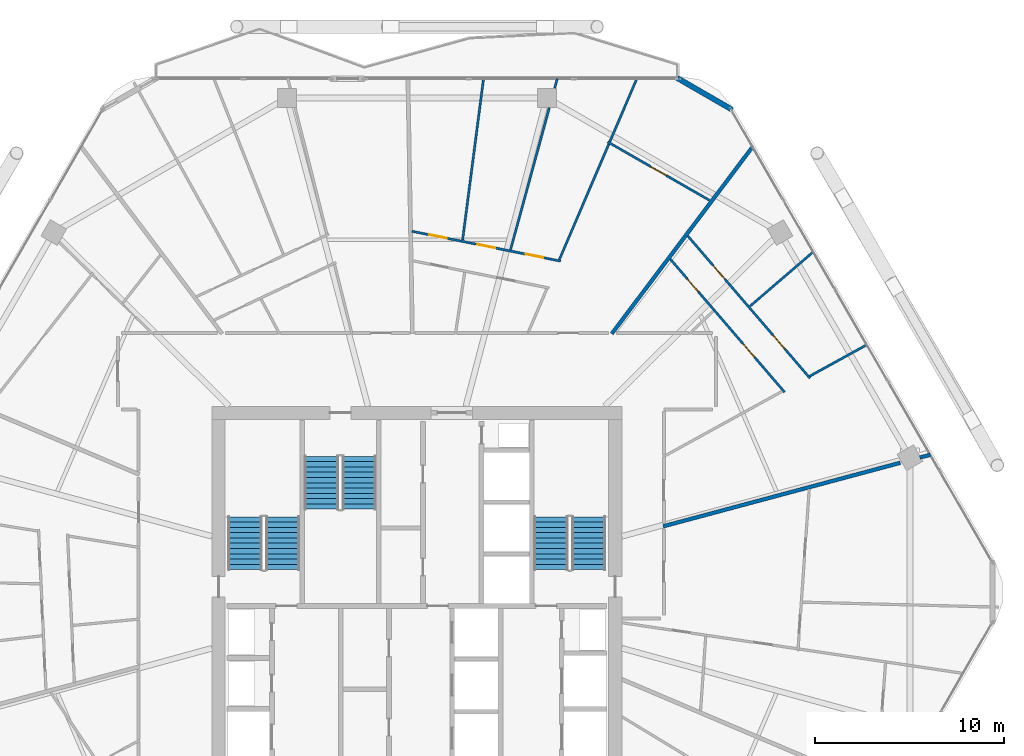
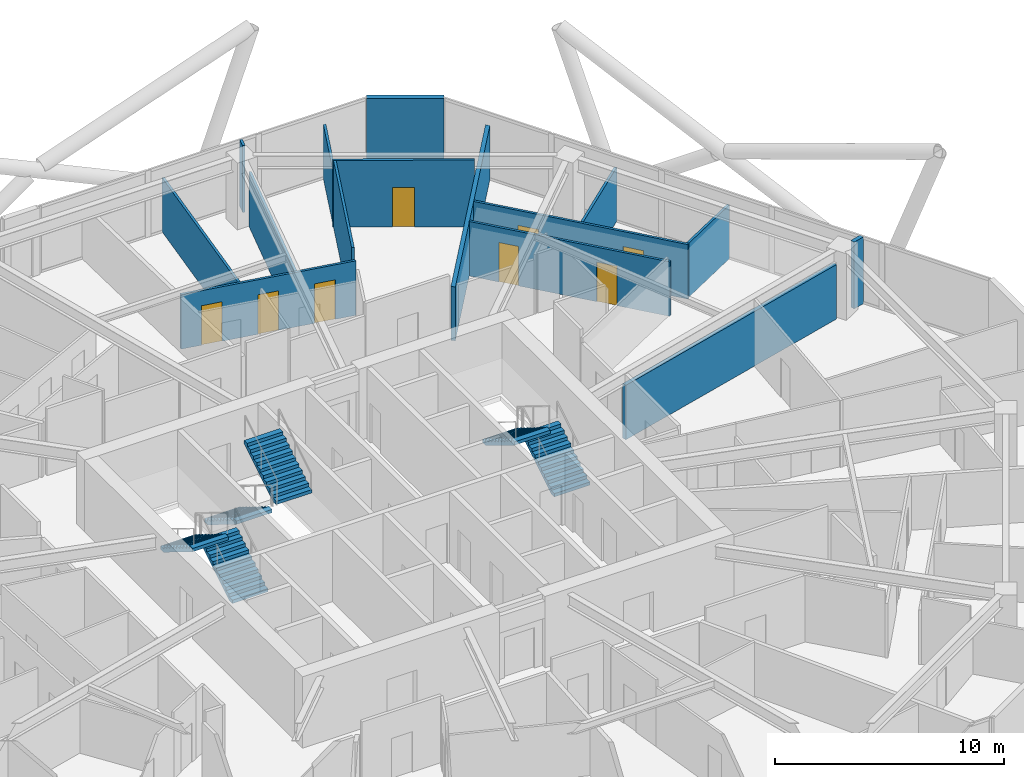
# One storey, part 26 of 29: 15 walls, 8 doors, 6 stair flights, 8 openings, 3 elements without a shape of their own.
"""IFC4 building model written with IfcOpenShell, lengths in metres."""

from ifc_helpers import new_model, si_unit, direction, frame, frame_2d, origin, place, context, subcontext, project, spatial, polyline, rectangle, outline, extrude, material, layer, layer_set, type_object, element, fill, aggregate, save


model = new_model("IFC4")

# Units and contexts
model_context = context("Model", 3, precision=1e-05, world=origin(), true_north=direction((0.0, 1.0)))
body_context = subcontext(model_context, "Body", "Model", "MODEL_VIEW")
ifc_project = project(units=[si_unit("LENGTHUNIT", "METRE"), si_unit("AREAUNIT", "SQUARE_METRE"), si_unit("VOLUMEUNIT", "CUBIC_METRE"), si_unit("PLANEANGLEUNIT", "RADIAN"), si_unit("MASSUNIT", "GRAM", prefix="KILO")], contexts=[model_context])

# Site, building, storey
site_placement = place(None, origin())
site = spatial("IfcSite", under=ifc_project, at=site_placement, CompositionType="ELEMENT")
building_placement = place(site_placement, origin())
building = spatial("IfcBuilding", under=site, at=building_placement, Name="Zuhravey Tower", CompositionType="ELEMENT")
storey_placement = place(building_placement, frame((0.0, 0.0, 184.60009765625)))
storey = spatial("IfcBuildingStorey", under=building, at=storey_placement, Name="L46", CompositionType="ELEMENT", Elevation=184.60009765625)

# Walls
ifc_material_1 = material(Name="Precast concrete C40/50", Category="concrete")
ifc_layer_1 = layer(ifc_material_1, 0.280029296875)
ifc_layer_set_1 = layer_set([ifc_layer_1], Name="Precast concrete C40/50")
wall_type_1 = type_object("IfcWallType", Name="Crown Architectural Wall 280", PredefinedType="SOLIDWALL", material=ifc_layer_set_1)
wall_1_placement = place(storey_placement, frame((49.77880859375, 59.230712890625, 0.0), z_axis=(0.0, 0.0, 1.0), x_axis=(0.866020068361, -0.500009241111, 0.0)))
element("IfcWall", 1, at=wall_1_placement, inside=storey, type_object=wall_type_1, Name="L46 Rounded Corner Closure Wall EW28-10", PredefinedType="SOLIDWALL", context=body_context, shape_type="SweptSolid", body=[
    extrude(rectangle(XDim=3.365234375, YDim=0.280029296875, at=frame_2d((1.6826171875, 0.0))), origin(), (0.0, 0.0, 1.0), 3.5498046875),
])
ifc_material_2 = material(Name="Gypsum double-stud party assembly")
ifc_layer_2 = layer(ifc_material_2, 0.199951171875)
ifc_layer_set_2 = layer_set([ifc_layer_2], Name="Gypsum double-stud party assembly")
wall_type_2 = type_object("IfcWallType", Name="Inter-Tenancy Party Wall 200", PredefinedType="PARTITIONING", material=ifc_layer_set_2)
wall_2_placement = place(storey_placement, frame((49.0400390625, 35.494140625, 0.0), z_axis=(0.0, 0.0, 1.0), x_axis=(0.965926995019, 0.258814683304, 0.0)))
element("IfcWall", 2, at=wall_2_placement, inside=storey, type_object=wall_type_2, Name="L46 IW20 Partition 067", PredefinedType="PARTITIONING", context=body_context, shape_type="SweptSolid", body=[
    extrude(rectangle(XDim=12.990234375, YDim=0.199951171875, at=frame_2d((6.4951171875, 0.0))), origin(), (0.0, 0.0, 1.0), 2.89990234375),
])
wall_3_placement = place(storey_placement, frame((62.627685546875, 39.134765625, 0.0), z_axis=(0.0, 0.0, 1.0), x_axis=(0.965881701481, 0.258983665013, 0.0)))
element("IfcWall", 3, at=wall_3_placement, inside=storey, type_object=wall_type_2, Name="L46 IW20 Partition 068", PredefinedType="PARTITIONING", context=body_context, shape_type="SweptSolid", body=[
    extrude(rectangle(XDim=0.574951171875, YDim=0.199951171875, at=frame_2d((0.28759765625, 0.0))), origin(), (0.0, 0.0, 1.0), 3.5498046875),
])
wall_4_placement = place(storey_placement, frame((46.316162109375, 45.68994140625, 0.0), z_axis=(0.0, 0.0, 1.0), x_axis=(0.601811441108, 0.798638209299, 0.0)))
element("IfcWall", 4, at=wall_4_placement, inside=storey, type_object=wall_type_2, Name="L46 IW20 Partition 073", PredefinedType="PARTITIONING", context=body_context, shape_type="SweptSolid", body=[
    extrude(rectangle(XDim=12.388916015625, YDim=0.199951171875, at=frame_2d((6.1943359375, 0.0))), origin(), (0.0, 0.0, 1.0), 2.869873046875),
])

# Wall, openings, doors
ifc_material_3 = material(Name="Gypsum metal-stud partition")
ifc_layer_3 = layer(ifc_material_3, 0.1201171875)
ifc_layer_set_3 = layer_set([ifc_layer_3], Name="Gypsum metal-stud partition")
wall_type_3 = type_object("IfcWallType", Name="Unit Internal Partition 120", PredefinedType="PARTITIONING", material=ifc_layer_set_3)
wall_5_placement = place(storey_placement, frame((55.467041015625, 42.5966796875, 0.0), z_axis=(0.0, 0.0, 1.0), x_axis=(-0.651552756093, 0.758603325875, 0.0)))
wall_5 = element("IfcWall", 5, at=wall_5_placement, inside=storey, type_object=wall_type_3, Name="L46 IW12 Partition 020", PredefinedType="PARTITIONING", context=body_context, shape_type="SweptSolid", body=[
    extrude(rectangle(XDim=9.291259765625, YDim=0.1201171875, at=frame_2d((4.6455078125, 0.0))), origin(), (0.0, 0.0, 1.0), 2.89990234375),
])
opening_1_placement = place(wall_5_placement, frame((2.436767578125, 0.0, 0.0)))
opening_1 = element("IfcOpeningElement", 6, at=opening_1_placement, cuts=wall_5, Name="Opening IND1", PredefinedType="OPENING", context=body_context, shape_type="SweptSolid", body=[
    extrude(rectangle(XDim=0.949951171875, YDim=2.10009765625, at=frame_2d((0.47509765625, 1.050048828125))), frame((0.0, 0.072021484375, 0.0), z_axis=(0.0, -1.0, 0.0), x_axis=(1.0, 0.0, 0.0)), (0.0, 0.0, 1.0), 0.14404296875),
])
opening_2_placement = place(wall_5_placement, frame((7.0048828125, 0.0, 0.0)))
opening_2 = element("IfcOpeningElement", 7, at=opening_2_placement, cuts=wall_5, Name="Opening WCD1", PredefinedType="OPENING", context=body_context, shape_type="SweptSolid", body=[
    extrude(rectangle(XDim=0.89990234375, YDim=2.10009765625, at=frame_2d((0.449951171875, 1.050048828125))), frame((0.0, 0.072021484375, 0.0), z_axis=(0.0, -1.0, 0.0), x_axis=(1.0, 0.0, 0.0)), (0.0, 0.0, 1.0), 0.14404296875),
])
ifc_material_4 = material(Name="Moisture-resistant timber leaf", Category="wood")
door_type_1 = type_object("IfcDoorType", Name="Bathroom & WC Internal Door 900x2100", OperationType="NOTDEFINED", PredefinedType="DOOR", material=ifc_material_4)
door_1_placement = place(opening_2_placement, origin())
door_1 = element("IfcDoor", 8, at=door_1_placement, inside=storey, type_object=door_type_1, Name="Apartment L46-01 Bathroom Door", OperationType="SINGLE_SWING_RIGHT", OverallHeight=2.10009765625, OverallWidth=0.89990234375, PredefinedType="DOOR", context=body_context, shape_type="SweptSolid", body=[
    extrude(rectangle(XDim=0.89990234375, YDim=2.10009765625, at=frame_2d((0.449951171875, 1.050048828125))), frame((0.0, 0.02490234375, 0.0), z_axis=(0.0, -1.0, 0.0), x_axis=(1.0, 0.0, 0.0)), (0.0, 0.0, 1.0), 0.050048828125),
])
fill(opening_2, door_1)
ifc_material_5 = material(Name="Painted engineered timber leaf", Category="wood")
door_type_2 = type_object("IfcDoorType", Name="Internal Room & Bedroom Door 950x2100", OperationType="NOTDEFINED", PredefinedType="DOOR", material=ifc_material_5)
door_2_placement = place(opening_1_placement, origin())
door_2 = element("IfcDoor", 9, at=door_2_placement, inside=storey, type_object=door_type_2, Name="Apartment L46-01 Kitchen Door", OperationType="SINGLE_SWING_LEFT", OverallHeight=2.10009765625, OverallWidth=0.949951171875, PredefinedType="DOOR", context=body_context, shape_type="SweptSolid", body=[
    extrude(rectangle(XDim=0.949951171875, YDim=2.10009765625, at=frame_2d((0.47509765625, 1.050048828125))), frame((0.0, 0.02490234375, 0.0), z_axis=(0.0, -1.0, 0.0), x_axis=(1.0, 0.0, 0.0)), (0.0, 0.0, 1.0), 0.050048828125),
])
fill(opening_1, door_2)

wall_6_placement = place(storey_placement, frame((56.809814453125, 43.335693359375, 0.0), z_axis=(0.0, 0.0, 1.0), x_axis=(-0.651575392226, 0.75858388346, 0.0)))
wall_6 = element("IfcWall", 10, at=wall_6_placement, inside=storey, type_object=wall_type_3, Name="L46 IW12 Partition 021", PredefinedType="PARTITIONING", context=body_context, shape_type="SweptSolid", body=[
    extrude(rectangle(XDim=9.919921875, YDim=0.1201171875, at=frame_2d((4.9599609375, 0.0))), origin(), (0.0, 0.0, 1.0), 2.89990234375),
])
opening_3_placement = place(wall_6_placement, frame((2.054931640625, 0.0, 0.0)))
opening_3 = element("IfcOpeningElement", 11, at=opening_3_placement, cuts=wall_6, Name="Opening IND1", PredefinedType="OPENING", context=body_context, shape_type="SweptSolid", body=[
    extrude(rectangle(XDim=0.949951171875, YDim=2.10009765625, at=frame_2d((0.47509765625, 1.050048828125))), frame((0.0, 0.072021484375, 0.0), z_axis=(0.0, -1.0, 0.0), x_axis=(1.0, 0.0, 0.0)), (0.0, 0.0, 1.0), 0.14404296875),
])
opening_4_placement = place(wall_6_placement, frame((6.914794921875, 0.0, 0.0)))
opening_4 = element("IfcOpeningElement", 12, at=opening_4_placement, cuts=wall_6, Name="Opening IND1", PredefinedType="OPENING", context=body_context, shape_type="SweptSolid", body=[
    extrude(rectangle(XDim=0.949951171875, YDim=2.10009765625, at=frame_2d((0.47509765625, 1.050048828125))), frame((0.0, 0.072021484375, 0.0), z_axis=(0.0, -1.0, 0.0), x_axis=(1.0, 0.0, 0.0)), (0.0, 0.0, 1.0), 0.14404296875),
])
door_3_placement = place(opening_3_placement, frame((0.949951171875, 0.0, 0.0), z_axis=(0.0, 0.0, 1.0), x_axis=(-1.0, 0.0, 0.0)))
door_3 = element("IfcDoor", 13, at=door_3_placement, inside=storey, type_object=door_type_2, Name="Apartment L46-01 Bedroom 1 Door", OperationType="SINGLE_SWING_LEFT", OverallHeight=2.10009765625, OverallWidth=0.949951171875, PredefinedType="DOOR", context=body_context, shape_type="SweptSolid", body=[
    extrude(rectangle(XDim=0.949951171875, YDim=2.10009765625, at=frame_2d((0.47509765625, 1.050048828125))), frame((0.0, 0.02490234375, 0.0), z_axis=(0.0, -1.0, 0.0), x_axis=(1.0, 0.0, 0.0)), (0.0, 0.0, 1.0), 0.050048828125),
])
fill(opening_3, door_3)
door_4_placement = place(opening_4_placement, frame((0.949951171875, 0.0, 0.0), z_axis=(0.0, 0.0, 1.0), x_axis=(-1.0, 0.0, 0.0)))
door_4 = element("IfcDoor", 14, at=door_4_placement, inside=storey, type_object=door_type_2, Name="Apartment L46-01 Bedroom 2 Door", OperationType="SINGLE_SWING_RIGHT", OverallHeight=2.10009765625, OverallWidth=0.949951171875, PredefinedType="DOOR", context=body_context, shape_type="SweptSolid", body=[
    extrude(rectangle(XDim=0.949951171875, YDim=2.10009765625, at=frame_2d((0.47509765625, 1.050048828125))), frame((0.0, 0.02490234375, 0.0), z_axis=(0.0, -1.0, 0.0), x_axis=(1.0, 0.0, 0.0)), (0.0, 0.0, 1.0), 0.050048828125),
])
fill(opening_4, door_4)

# Wall, opening, door
wall_7_placement = place(storey_placement, frame((51.484619140625, 52.75830078125, 0.0), z_axis=(0.0, 0.0, 1.0), x_axis=(-0.86742606269, 0.497566101907, 0.0)))
wall_7 = element("IfcWall", 15, at=wall_7_placement, inside=storey, type_object=wall_type_3, Name="L46 IW12 Partition 023", PredefinedType="PARTITIONING", context=body_context, shape_type="SweptSolid", body=[
    extrude(rectangle(XDim=6.20556640625, YDim=0.1201171875, at=frame_2d((3.102783203125, 0.0))), origin(), (0.0, 0.0, 1.0), 3.5498046875),
])
opening_5_placement = place(wall_7_placement, frame((2.627685546875, 0.0, 0.0)))
opening_5 = element("IfcOpeningElement", 16, at=opening_5_placement, cuts=wall_7, Name="Opening IND1", PredefinedType="OPENING", context=body_context, shape_type="SweptSolid", body=[
    extrude(rectangle(XDim=0.949951171875, YDim=2.10009765625, at=frame_2d((0.47509765625, 1.050048828125))), frame((0.0, 0.072021484375, 0.0), z_axis=(0.0, -1.0, 0.0), x_axis=(1.0, 0.0, 0.0)), (0.0, 0.0, 1.0), 0.14404296875),
])
door_5_placement = place(opening_5_placement, frame((0.949951171875, 0.0, 0.0), z_axis=(0.0, 0.0, 1.0), x_axis=(-1.0, 0.0, 0.0)))
door_5 = element("IfcDoor", 17, at=door_5_placement, inside=storey, type_object=door_type_2, Name="Apartment L46-02 Family Study Door", OperationType="SINGLE_SWING_RIGHT", OverallHeight=2.10009765625, OverallWidth=0.949951171875, PredefinedType="DOOR", context=body_context, shape_type="SweptSolid", body=[
    extrude(rectangle(XDim=0.949951171875, YDim=2.10009765625, at=frame_2d((0.47509765625, 1.050048828125))), frame((0.0, 0.02490234375, 0.0), z_axis=(0.0, -1.0, 0.0), x_axis=(1.0, 0.0, 0.0)), (0.0, 0.0, 1.0), 0.050048828125),
])
fill(opening_5, door_5)

# Wall, openings, doors
wall_8_placement = place(storey_placement, frame((43.616455078125, 49.533447265625, 0.0), z_axis=(0.0, 0.0, 1.0), x_axis=(-0.980475426361, 0.196641649461, 0.0)))
wall_8 = element("IfcWall", 18, at=wall_8_placement, inside=storey, type_object=wall_type_3, Name="L46 IW12 Partition 025", PredefinedType="PARTITIONING", context=body_context, shape_type="SweptSolid", body=[
    extrude(rectangle(XDim=8.040283203125, YDim=0.1201171875, at=frame_2d((4.02001953125, 0.0))), origin(), (0.0, 0.0, 1.0), 2.89990234375),
])
opening_6_placement = place(wall_8_placement, frame((0.940185546875, 0.0, 0.0)))
opening_6 = element("IfcOpeningElement", 19, at=opening_6_placement, cuts=wall_8, Name="Opening IND1", PredefinedType="OPENING", context=body_context, shape_type="SweptSolid", body=[
    extrude(rectangle(XDim=0.949951171875, YDim=2.10009765625, at=frame_2d((0.47509765625, 1.050048828125))), frame((0.0, 0.072021484375, 0.0), z_axis=(0.0, -1.0, 0.0), x_axis=(1.0, 0.0, 0.0)), (0.0, 0.0, 1.0), 0.14404296875),
])
opening_7_placement = place(wall_8_placement, frame((3.545166015625, 0.0, 0.0)))
opening_7 = element("IfcOpeningElement", 20, at=opening_7_placement, cuts=wall_8, Name="Opening IND1", PredefinedType="OPENING", context=body_context, shape_type="SweptSolid", body=[
    extrude(rectangle(XDim=0.949951171875, YDim=2.10009765625, at=frame_2d((0.47509765625, 1.050048828125))), frame((0.0, 0.072021484375, 0.0), z_axis=(0.0, -1.0, 0.0), x_axis=(1.0, 0.0, 0.0)), (0.0, 0.0, 1.0), 0.14404296875),
])
opening_8_placement = place(wall_8_placement, frame((6.14990234375, 0.0, 0.0)))
opening_8 = element("IfcOpeningElement", 21, at=opening_8_placement, cuts=wall_8, Name="Opening IND1", PredefinedType="OPENING", context=body_context, shape_type="SweptSolid", body=[
    extrude(rectangle(XDim=0.949951171875, YDim=2.10009765625, at=frame_2d((0.47509765625, 1.050048828125))), frame((0.0, 0.072021484375, 0.0), z_axis=(0.0, -1.0, 0.0), x_axis=(1.0, 0.0, 0.0)), (0.0, 0.0, 1.0), 0.14404296875),
])
door_6_placement = place(opening_6_placement, frame((0.949951171875, 0.0, 0.0), z_axis=(0.0, 0.0, 1.0), x_axis=(-1.0, 0.0, 0.0)))
door_6 = element("IfcDoor", 22, at=door_6_placement, inside=storey, type_object=door_type_2, Name="Apartment L46-02 Bedroom 1 Door", OperationType="SINGLE_SWING_LEFT", OverallHeight=2.10009765625, OverallWidth=0.949951171875, PredefinedType="DOOR", context=body_context, shape_type="SweptSolid", body=[
    extrude(rectangle(XDim=0.949951171875, YDim=2.10009765625, at=frame_2d((0.47509765625, 1.050048828125))), frame((0.0, 0.02490234375, 0.0), z_axis=(0.0, -1.0, 0.0), x_axis=(1.0, 0.0, 0.0)), (0.0, 0.0, 1.0), 0.050048828125),
])
fill(opening_6, door_6)
door_7_placement = place(opening_7_placement, frame((0.949951171875, 0.0, 0.0), z_axis=(0.0, 0.0, 1.0), x_axis=(-1.0, 0.0, 0.0)))
door_7 = element("IfcDoor", 23, at=door_7_placement, inside=storey, type_object=door_type_2, Name="Apartment L46-02 Bedroom 2 Door", OperationType="SINGLE_SWING_RIGHT", OverallHeight=2.10009765625, OverallWidth=0.949951171875, PredefinedType="DOOR", context=body_context, shape_type="SweptSolid", body=[
    extrude(rectangle(XDim=0.949951171875, YDim=2.10009765625, at=frame_2d((0.47509765625, 1.050048828125))), frame((0.0, 0.02490234375, 0.0), z_axis=(0.0, -1.0, 0.0), x_axis=(1.0, 0.0, 0.0)), (0.0, 0.0, 1.0), 0.050048828125),
])
fill(opening_7, door_7)
door_8_placement = place(opening_8_placement, frame((0.949951171875, 0.0, 0.0), z_axis=(0.0, 0.0, 1.0), x_axis=(-1.0, 0.0, 0.0)))
door_8 = element("IfcDoor", 24, at=door_8_placement, inside=storey, type_object=door_type_2, Name="Apartment L46-02 Bedroom 3 Door", OperationType="SINGLE_SWING_LEFT", OverallHeight=2.10009765625, OverallWidth=0.949951171875, PredefinedType="DOOR", context=body_context, shape_type="SweptSolid", body=[
    extrude(rectangle(XDim=0.949951171875, YDim=2.10009765625, at=frame_2d((0.47509765625, 1.050048828125))), frame((0.0, 0.02490234375, 0.0), z_axis=(0.0, -1.0, 0.0), x_axis=(1.0, 0.0, 0.0)), (0.0, 0.0, 1.0), 0.050048828125),
])
fill(opening_8, door_8)

# Walls
wall_9_placement = place(storey_placement, frame((53.629638671875, 47.142578125, 0.0), z_axis=(0.0, 0.0, 1.0), x_axis=(0.758610544746, 0.651544351062, 0.0)))
element("IfcWall", 25, at=wall_9_placement, inside=storey, type_object=wall_type_3, Name="L46 IW12 Partition 070", PredefinedType="PARTITIONING", context=body_context, shape_type="SweptSolid", body=[
    extrude(rectangle(XDim=4.4306640625, YDim=0.1201171875, at=frame_2d((2.21533203125, 0.0))), origin(), (0.0, 0.0, 1.0), 2.869873046875),
])
wall_10_placement = place(storey_placement, frame((56.80419921875, 43.446533203125, 0.0), z_axis=(0.0, 0.0, 1.0), x_axis=(0.876100956411, 0.482127694886, 0.0)))
element("IfcWall", 26, at=wall_10_placement, inside=storey, type_object=wall_type_3, Name="L46 IW12 Partition 072", PredefinedType="PARTITIONING", context=body_context, shape_type="SweptSolid", body=[
    extrude(rectangle(XDim=3.45361328125, YDim=0.1201171875, at=frame_2d((1.726806640625, 0.0))), origin(), (0.0, 0.0, 1.0), 2.869873046875),
])
wall_11_placement = place(storey_placement, frame((40.95703125, 50.13623046875, 0.0), z_axis=(0.0, 0.0, 1.0), x_axis=(0.263642265477, 0.964620524276, 0.0)))
element("IfcWall", 27, at=wall_11_placement, inside=storey, type_object=wall_type_3, Name="L46 IW12 Partition 075", PredefinedType="PARTITIONING", context=body_context, shape_type="SweptSolid", body=[
    extrude(rectangle(XDim=7.79248046875, YDim=0.1201171875, at=frame_2d((3.896240234375, 0.0))), origin(), (0.0, 0.0, 1.0), 2.89990234375),
])
wall_12_placement = place(storey_placement, frame((43.295654296875, 58.693115234375, 0.0), z_axis=(0.0, 0.0, 1.0), x_axis=(0.263754997767, 0.96458970612, 0.0)))
element("IfcWall", 28, at=wall_12_placement, inside=storey, type_object=wall_type_3, Name="L46 IW12 Partition 076", PredefinedType="PARTITIONING", context=body_context, shape_type="SweptSolid", body=[
    extrude(rectangle(XDim=0.518310546875, YDim=0.1201171875, at=frame_2d((0.25927734375, 0.0))), origin(), (0.0, 0.0, 1.0), 3.5498046875),
])
wall_13_placement = place(storey_placement, frame((38.419189453125, 50.64501953125, 0.0), z_axis=(0.0, 0.0, 1.0), x_axis=(0.128701040878, 0.99168343844, 0.0)))
element("IfcWall", 29, at=wall_13_placement, inside=storey, type_object=wall_type_3, Name="L46 IW12 Partition 077", PredefinedType="PARTITIONING", context=body_context, shape_type="SweptSolid", body=[
    extrude(rectangle(XDim=8.619873046875, YDim=0.1201171875, at=frame_2d((4.31005859375, 0.0))), origin(), (0.0, 0.0, 1.0), 2.869873046875),
])
wall_14_placement = place(storey_placement, frame((43.543701171875, 49.617431640625, 0.0), z_axis=(0.0, 0.0, 1.0), x_axis=(0.393600370301, 0.919281648081, 0.0)))
element("IfcWall", 30, at=wall_14_placement, inside=storey, type_object=wall_type_3, Name="L46 IW12 Partition 079", PredefinedType="PARTITIONING", context=body_context, shape_type="SweptSolid", body=[
    extrude(rectangle(XDim=6.65234375, YDim=0.1201171875, at=frame_2d((3.326171875, 0.0))), origin(), (0.0, 0.0, 1.0), 3.5498046875),
])
wall_15_placement = place(storey_placement, frame((46.216064453125, 55.85888671875, 0.0), z_axis=(0.0, 0.0, 1.0), x_axis=(0.393594079786, 0.919284341408, 0.0)))
element("IfcWall", 31, at=wall_15_placement, inside=storey, type_object=wall_type_3, Name="L46 IW12 Partition 080", PredefinedType="PARTITIONING", context=body_context, shape_type="SweptSolid", body=[
    extrude(rectangle(XDim=3.624267578125, YDim=0.1201171875, at=frame_2d((1.81201171875, 0.0))), origin(), (0.0, 0.0, 1.0), 2.869873046875),
])

# Stair, stair flights
ifc_material_6 = material(Name="Concrete C40/50", Category="concrete")
stair_type = type_object("IfcStairType", Name="Housing Storey Stair Assembly 3800", PredefinedType="HALF_TURN_STAIR", material=ifc_material_6)
stair_1_placement = place(storey_placement, origin())
stair_1 = element("IfcStair", 32, at=stair_1_placement, inside=storey, type_object=stair_type, Name="L46 Core Exit Stair ST1", PredefinedType="HALF_TURN_STAIR")
stair_flight_type = type_object("IfcStairFlightType", Name="Housing Storey Stair Flight 3800", PredefinedType="STRAIGHT", material=ifc_material_6)
stair_flight_1_placement = place(storey_placement, frame((28.89990234375, 33.199951171875, 0.0), z_axis=(0.0, 0.0, 1.0), x_axis=(0.0, 1.0, 0.0)))
stair_flight_1 = element("IfcStairFlight", 33, at=stair_flight_1_placement, type_object=stair_flight_type, Name="ST1 flight 1", NumberOfRisers=11, NumberOfTreads=10, PredefinedType="STRAIGHT", RiserHeight=0.172727273, TreadLength=0.28, context=body_context, shape_type="SweptSolid", body=[
    extrude(outline(polyline([(0.0, 0.0), (0.0, 0.172607421875), (0.280029296875, 0.172607421875), (0.280029296875, 0.345458984375), (0.56005859375, 0.345458984375), (0.56005859375, 0.51806640625), (0.840087890625, 0.51806640625), (0.840087890625, 0.69091796875), (1.1201171875, 0.69091796875), (1.1201171875, 0.863525390625), (1.39990234375, 0.863525390625), (1.39990234375, 1.036376953125), (1.679931640625, 1.036376953125), (1.679931640625, 1.208984375), (1.9599609375, 1.208984375), (1.9599609375, 1.3818359375), (2.239990234375, 1.3818359375), (2.239990234375, 1.554443359375), (2.52001953125, 1.554443359375), (2.52001953125, 1.727294921875), (2.800048828125, 1.727294921875), (2.800048828125, 1.89990234375), (2.800048828125, 1.551025390625), (0.285400390625, 0.0), (0.0, 0.0)])), frame((0.0, 0.89990234375, 0.0), z_axis=(0.0, -1.0, 0.0), x_axis=(1.0, 0.0, 0.0)), (0.0, 0.0, 1.0), 1.800048828125),
])
stair_flight_2_placement = place(storey_placement, frame((26.89990234375, 36.0, 1.89990234375), z_axis=(0.0, 0.0, 1.0), x_axis=(0.0, -1.0, 0.0)))
stair_flight_2 = element("IfcStairFlight", 34, at=stair_flight_2_placement, type_object=stair_flight_type, Name="ST1 flight 2", NumberOfRisers=11, NumberOfTreads=10, PredefinedType="STRAIGHT", RiserHeight=0.172727273, TreadLength=0.28, context=body_context, shape_type="SweptSolid", body=[
    extrude(outline(polyline([(0.0, 0.0), (0.0, 0.172607421875), (0.280029296875, 0.172607421875), (0.280029296875, 0.345458984375), (0.56005859375, 0.345458984375), (0.56005859375, 0.51806640625), (0.840087890625, 0.51806640625), (0.840087890625, 0.69091796875), (1.1201171875, 0.69091796875), (1.1201171875, 0.863525390625), (1.39990234375, 0.863525390625), (1.39990234375, 1.036376953125), (1.679931640625, 1.036376953125), (1.679931640625, 1.208984375), (1.9599609375, 1.208984375), (1.9599609375, 1.3818359375), (2.239990234375, 1.3818359375), (2.239990234375, 1.554443359375), (2.52001953125, 1.554443359375), (2.52001953125, 1.727294921875), (2.800048828125, 1.727294921875), (2.800048828125, 1.89990234375), (2.800048828125, 1.551025390625), (0.285400390625, 0.0), (0.0, 0.0)])), frame((0.0, 0.89990234375, 0.0), z_axis=(0.0, -1.0, 0.0), x_axis=(1.0, 0.0, 0.0)), (0.0, 0.0, 1.0), 1.800048828125),
])
aggregate(stair_1, [stair_flight_1, stair_flight_2])

stair_2_placement = place(storey_placement, origin())
stair_2 = element("IfcStair", 35, at=stair_2_placement, inside=storey, type_object=stair_type, Name="L46 Core Exit Stair ST2", PredefinedType="HALF_TURN_STAIR")
stair_flight_3_placement = place(storey_placement, frame((45.10009765625, 33.199951171875, 0.0), z_axis=(0.0, 0.0, 1.0), x_axis=(0.0, 1.0, 0.0)))
stair_flight_3 = element("IfcStairFlight", 36, at=stair_flight_3_placement, type_object=stair_flight_type, Name="ST2 flight 1", NumberOfRisers=11, NumberOfTreads=10, PredefinedType="STRAIGHT", RiserHeight=0.172727273, TreadLength=0.28, context=body_context, shape_type="SweptSolid", body=[
    extrude(outline(polyline([(0.0, 0.0), (0.0, 0.172607421875), (0.280029296875, 0.172607421875), (0.280029296875, 0.345458984375), (0.56005859375, 0.345458984375), (0.56005859375, 0.51806640625), (0.840087890625, 0.51806640625), (0.840087890625, 0.69091796875), (1.1201171875, 0.69091796875), (1.1201171875, 0.863525390625), (1.39990234375, 0.863525390625), (1.39990234375, 1.036376953125), (1.679931640625, 1.036376953125), (1.679931640625, 1.208984375), (1.9599609375, 1.208984375), (1.9599609375, 1.3818359375), (2.239990234375, 1.3818359375), (2.239990234375, 1.554443359375), (2.52001953125, 1.554443359375), (2.52001953125, 1.727294921875), (2.800048828125, 1.727294921875), (2.800048828125, 1.89990234375), (2.800048828125, 1.551025390625), (0.285400390625, 0.0), (0.0, 0.0)])), frame((0.0, 0.89990234375, 0.0), z_axis=(0.0, -1.0, 0.0), x_axis=(1.0, 0.0, 0.0)), (0.0, 0.0, 1.0), 1.800048828125),
])
stair_flight_4_placement = place(storey_placement, frame((43.10009765625, 36.0, 1.89990234375), z_axis=(0.0, 0.0, 1.0), x_axis=(0.0, -1.0, 0.0)))
stair_flight_4 = element("IfcStairFlight", 37, at=stair_flight_4_placement, type_object=stair_flight_type, Name="ST2 flight 2", NumberOfRisers=11, NumberOfTreads=10, PredefinedType="STRAIGHT", RiserHeight=0.172727273, TreadLength=0.28, context=body_context, shape_type="SweptSolid", body=[
    extrude(outline(polyline([(0.0, 0.0), (0.0, 0.172607421875), (0.280029296875, 0.172607421875), (0.280029296875, 0.345458984375), (0.56005859375, 0.345458984375), (0.56005859375, 0.51806640625), (0.840087890625, 0.51806640625), (0.840087890625, 0.69091796875), (1.1201171875, 0.69091796875), (1.1201171875, 0.863525390625), (1.39990234375, 0.863525390625), (1.39990234375, 1.036376953125), (1.679931640625, 1.036376953125), (1.679931640625, 1.208984375), (1.9599609375, 1.208984375), (1.9599609375, 1.3818359375), (2.239990234375, 1.3818359375), (2.239990234375, 1.554443359375), (2.52001953125, 1.554443359375), (2.52001953125, 1.727294921875), (2.800048828125, 1.727294921875), (2.800048828125, 1.89990234375), (2.800048828125, 1.551025390625), (0.285400390625, 0.0), (0.0, 0.0)])), frame((0.0, 0.89990234375, 0.0), z_axis=(0.0, -1.0, 0.0), x_axis=(1.0, 0.0, 0.0)), (0.0, 0.0, 1.0), 1.800048828125),
])
aggregate(stair_2, [stair_flight_3, stair_flight_4])

stair_3_placement = place(storey_placement, origin())
stair_3 = element("IfcStair", 38, at=stair_3_placement, inside=storey, type_object=stair_type, Name="L46 Core Exit Stair ST3", PredefinedType="HALF_TURN_STAIR")
stair_flight_5_placement = place(storey_placement, frame((30.949951171875, 39.199951171875, 0.0), z_axis=(0.0, 0.0, 1.0), x_axis=(0.0, -1.0, 0.0)))
stair_flight_5 = element("IfcStairFlight", 39, at=stair_flight_5_placement, type_object=stair_flight_type, Name="ST3 flight 1", NumberOfRisers=11, NumberOfTreads=10, PredefinedType="STRAIGHT", RiserHeight=0.172727273, TreadLength=0.28, context=body_context, shape_type="SweptSolid", body=[
    extrude(outline(polyline([(0.0, 0.0), (0.0, 0.172607421875), (0.280029296875, 0.172607421875), (0.280029296875, 0.345458984375), (0.56005859375, 0.345458984375), (0.56005859375, 0.51806640625), (0.840087890625, 0.51806640625), (0.840087890625, 0.69091796875), (1.1201171875, 0.69091796875), (1.1201171875, 0.863525390625), (1.39990234375, 0.863525390625), (1.39990234375, 1.036376953125), (1.679931640625, 1.036376953125), (1.679931640625, 1.208984375), (1.9599609375, 1.208984375), (1.9599609375, 1.3818359375), (2.239990234375, 1.3818359375), (2.239990234375, 1.554443359375), (2.52001953125, 1.554443359375), (2.52001953125, 1.727294921875), (2.800048828125, 1.727294921875), (2.800048828125, 1.89990234375), (2.800048828125, 1.551025390625), (0.285400390625, 0.0), (0.0, 0.0)])), frame((0.0, 0.89990234375, 0.0), z_axis=(0.0, -1.0, 0.0), x_axis=(1.0, 0.0, 0.0)), (0.0, 0.0, 1.0), 1.800048828125),
])
stair_flight_6_placement = place(storey_placement, frame((32.949951171875, 36.39990234375, 1.89990234375), z_axis=(0.0, 0.0, 1.0), x_axis=(0.0, 1.0, 0.0)))
stair_flight_6 = element("IfcStairFlight", 40, at=stair_flight_6_placement, type_object=stair_flight_type, Name="ST3 flight 2", NumberOfRisers=11, NumberOfTreads=10, PredefinedType="STRAIGHT", RiserHeight=0.172727273, TreadLength=0.28, context=body_context, shape_type="SweptSolid", body=[
    extrude(outline(polyline([(0.0, 0.0), (0.0, 0.172607421875), (0.280029296875, 0.172607421875), (0.280029296875, 0.345458984375), (0.56005859375, 0.345458984375), (0.56005859375, 0.51806640625), (0.840087890625, 0.51806640625), (0.840087890625, 0.69091796875), (1.1201171875, 0.69091796875), (1.1201171875, 0.863525390625), (1.39990234375, 0.863525390625), (1.39990234375, 1.036376953125), (1.679931640625, 1.036376953125), (1.679931640625, 1.208984375), (1.9599609375, 1.208984375), (1.9599609375, 1.3818359375), (2.239990234375, 1.3818359375), (2.239990234375, 1.554443359375), (2.52001953125, 1.554443359375), (2.52001953125, 1.727294921875), (2.800048828125, 1.727294921875), (2.800048828125, 1.89990234375), (2.800048828125, 1.551025390625), (0.285400390625, 0.0), (0.0, 0.0)])), frame((0.0, 0.89990234375, 0.0), z_axis=(0.0, -1.0, 0.0), x_axis=(1.0, 0.0, 0.0)), (0.0, 0.0, 1.0), 1.800048828125),
])
aggregate(stair_3, [stair_flight_5, stair_flight_6])

save(model, "model.ifc")
